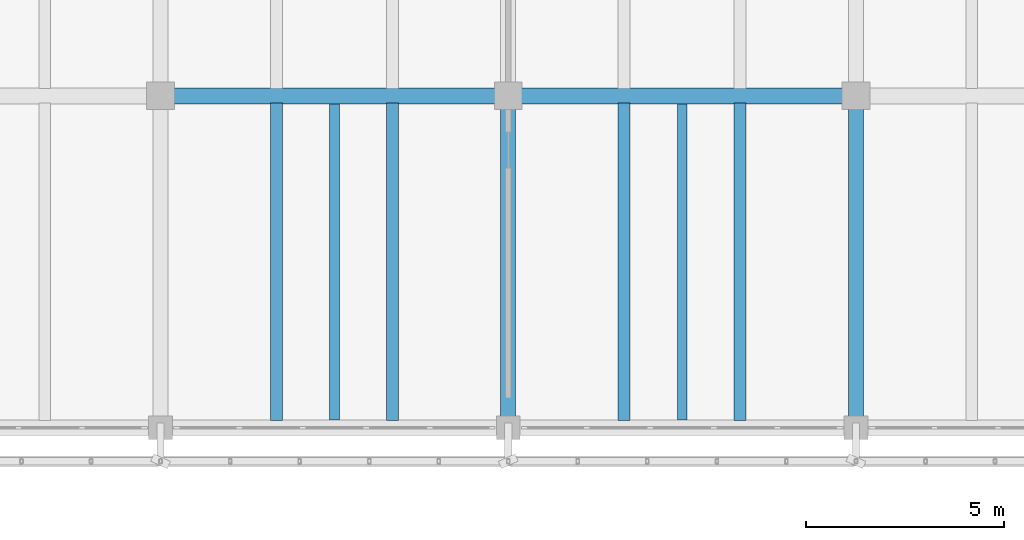
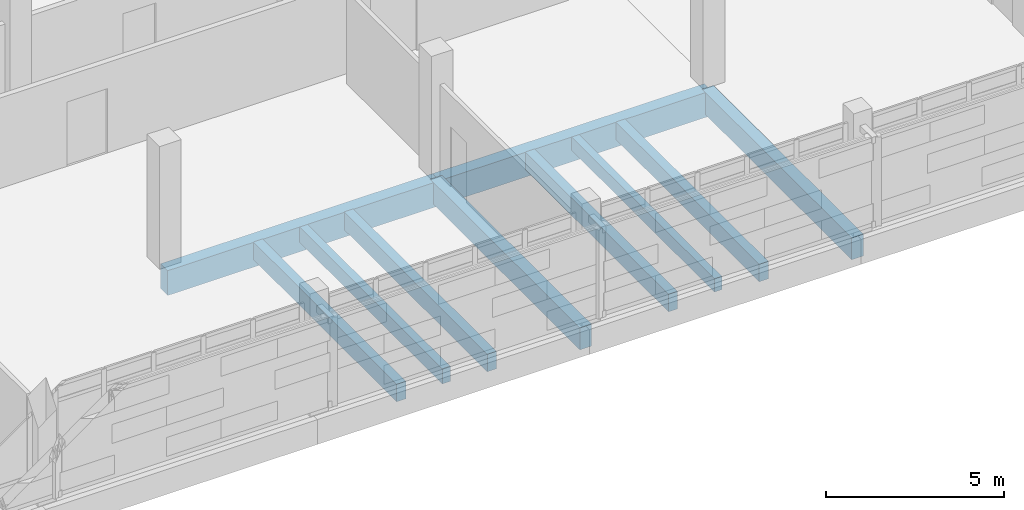
# One storey, part 63 of 137: 10 beams.
"""IFC4 building model written with IfcOpenShell, lengths in metres."""

from ifc_helpers import new_model, si_unit, direction, frame, origin, origin_2d, place, context, subcontext, project, spatial, rectangle, extrude, material, material_profile, profile_set, type_object, element, save


model = new_model("IFC4")

# Units and contexts
model_context = context("Model", 3, precision=1e-05, world=origin(), true_north=direction((0.0, 1.0)))
body_context = subcontext(model_context, "Body", "Model", "MODEL_VIEW")
ifc_project = project(units=[si_unit("LENGTHUNIT", "METRE"), si_unit("AREAUNIT", "SQUARE_METRE"), si_unit("VOLUMEUNIT", "CUBIC_METRE"), si_unit("PLANEANGLEUNIT", "RADIAN"), si_unit("MASSUNIT", "GRAM", prefix="KILO")], contexts=[model_context])

# Site, building, storey
site_placement = place(None, origin())
site = spatial("IfcSite", under=ifc_project, at=site_placement, CompositionType="ELEMENT")
building_placement = place(site_placement, origin())
building = spatial("IfcBuilding", under=site, at=building_placement, Name="Cinderway Yard Community Centre", CompositionType="ELEMENT")
storey_placement = place(building_placement, frame((0.0, 0.0, 4.800048828125)))
storey = spatial("IfcBuildingStorey", under=building, at=storey_placement, Name="L01", CompositionType="ELEMENT", Elevation=4.800048828125)

# Beams
ifc_material_1 = material(Name="Concrete C35/45", Category="concrete")
ifc_material_profile_1 = material_profile(ifc_material_1, rectangle(XDim=0.239990234375, YDim=0.4599609375, at=origin_2d()), Name="Concrete C35/45")
ifc_profile_set_1 = profile_set([ifc_material_profile_1], Name="Concrete C35/45")
beam_type_1 = type_object("IfcBeamType", Name="STR-BM-RC240X460", PredefinedType="SPANDREL", material=ifc_profile_set_1)
beam_1_placement = place(storey_placement, frame((114.800048828125, 90.199951171875, -0.489990234375), z_axis=(0.0, 1.0, 0.0), x_axis=(-1.0, 0.0, 0.0)))
element("IfcBeam", 1, at=beam_1_placement, inside=storey, type_object=beam_type_1, Name="Mid-bay secondary beam STR-BM-L01-SP04-1170", PredefinedType="SPANDREL", context=body_context, shape_type="SweptSolid", body=[
    extrude(rectangle(XDim=0.239990234375, YDim=0.4599609375, at=origin_2d()), origin(), (0.0, 0.0, 1.0), 8.0),
])
ifc_material_profile_2 = material_profile(ifc_material_1, rectangle(XDim=0.260009765625, YDim=0.52001953125, at=origin_2d()), Name="Concrete C35/45")
ifc_profile_set_2 = profile_set([ifc_material_profile_2], Name="Concrete C35/45")
beam_type_2 = type_object("IfcBeamType", Name="STR-BM-RC260X520", PredefinedType="JOIST", material=ifc_profile_set_2)
beam_2_placement = place(storey_placement, frame((106.0, 90.199951171875, -0.52001953125), z_axis=(0.0, 1.0, 0.0), x_axis=(-1.0, 0.0, 0.0)))
element("IfcBeam", 2, at=beam_2_placement, inside=storey, type_object=beam_type_2, Name="Mid-bay secondary beam STR-BM-L01-BJ06-1169", PredefinedType="JOIST", context=body_context, shape_type="SweptSolid", body=[
    extrude(rectangle(XDim=0.260009765625, YDim=0.52001953125, at=origin_2d()), origin(), (0.0, 0.0, 1.0), 8.0),
])
ifc_material_profile_3 = material_profile(ifc_material_1, rectangle(XDim=0.300048828125, YDim=0.60009765625, at=origin_2d()), Name="Concrete C35/45")
ifc_profile_set_3 = profile_set([ifc_material_profile_3], Name="Concrete C35/45")
beam_type_3 = type_object("IfcBeamType", Name="STR-BM-RC300X600", PredefinedType="JOIST", material=ifc_profile_set_3)
for number, where, z_axis, x_axis, name in (
    (3, (104.532958984375, 90.181884765625, -0.56005859375), (0.0, 1.0, 0.0), (-1.0, 0.0, 0.0), "Secondary joist STR-BM-L01-BJ02-0297"),
    (4, (107.467041015625, 90.181884765625, -0.56005859375), (0.0, 1.0, 0.0), (-1.0, 0.0, 0.0), "Secondary joist STR-BM-L01-BJ02-0298"),
    (5, (113.3330078125, 90.181884765625, -0.56005859375), (0.0, 1.0, 0.0), (-1.0, 0.0, 0.0), "Secondary joist STR-BM-L01-BJ02-0303"),
    (6, (116.26708984375, 90.181884765625, -0.56005859375), (0.0, 1.0, 0.0), (-1.0, 0.0, 0.0), "Secondary joist STR-BM-L01-BJ02-0304"),
):
    element("IfcBeam", number, at=place(storey_placement, frame(where, z_axis=z_axis, x_axis=x_axis)), inside=storey, type_object=beam_type_3, Name=name, PredefinedType="JOIST", context=body_context, shape_type="SweptSolid", body=[
        extrude(rectangle(XDim=0.300048828125, YDim=0.60009765625, at=origin_2d()), origin(), (0.0, 0.0, 1.0), 8.0361328125),
    ])
ifc_material_profile_4 = material_profile(ifc_material_1, rectangle(XDim=0.3798828125, YDim=0.75, at=origin_2d()), Name="Concrete C35/45")
ifc_profile_set_4 = profile_set([ifc_material_profile_4], Name="Concrete C35/45")
beam_type_4 = type_object("IfcBeamType", Name="STR-BM-RC380X750", PredefinedType="BEAM", material=ifc_profile_set_4)
for number, where, z_axis, x_axis, name in (
    (7, (110.39990234375, 90.0, -0.635009765625), (0.0, 1.0, 0.0), (-1.0, 0.0, 0.0), "Transverse girder STR-BM-L01-BG06-0244"),
    (8, (119.199951171875, 90.0, -0.635009765625), (0.0, 1.0, 0.0), (-1.0, 0.0, 0.0), "Transverse girder STR-BM-L01-BG06-0247"),
):
    element("IfcBeam", number, at=place(storey_placement, frame(where, z_axis=z_axis, x_axis=x_axis)), inside=storey, type_object=beam_type_4, Name=name, PredefinedType="BEAM", context=body_context, shape_type="SweptSolid", body=[
        extrude(rectangle(XDim=0.3798828125, YDim=0.75, at=origin_2d()), origin(), (0.0, 0.0, 1.0), 8.39990234375),
    ])
ifc_material_2 = material(Name="Concrete C40/50", Category="concrete")
ifc_material_profile_5 = material_profile(ifc_material_2, rectangle(XDim=0.39990234375, YDim=0.85009765625, at=origin_2d()), Name="Concrete C40/50")
ifc_profile_set_5 = profile_set([ifc_material_profile_5], Name="Concrete C40/50")
beam_type_5 = type_object("IfcBeamType", Name="STR-BM-RC400X850", PredefinedType="BEAM", material=ifc_profile_set_5)
beam_3_placement = place(storey_placement, frame((101.60009765625, 98.39990234375, -0.68505859375), z_axis=(1.0, 0.0, 0.0), x_axis=(0.0, 1.0, 0.0)))
element("IfcBeam", 9, at=beam_3_placement, inside=storey, type_object=beam_type_5, Name="Primary girder STR-BM-L01-BG04-0191", PredefinedType="BEAM", context=body_context, shape_type="SweptSolid", body=[
    extrude(rectangle(XDim=0.39990234375, YDim=0.85009765625, at=origin_2d()), origin(), (0.0, 0.0, 1.0), 8.7998046875),
])
beam_4_placement = place(storey_placement, frame((110.39990234375, 98.39990234375, -0.68505859375), z_axis=(1.0, 0.0, 0.0), x_axis=(0.0, 1.0, 0.0)))
element("IfcBeam", 10, at=beam_4_placement, inside=storey, type_object=beam_type_5, Name="Primary girder STR-BM-L01-BG04-0192", PredefinedType="BEAM", context=body_context, shape_type="SweptSolid", body=[
    extrude(rectangle(XDim=0.39990234375, YDim=0.85009765625, at=origin_2d()), origin(), (0.0, 0.0, 1.0), 8.800048828125),
])

save(model, "model.ifc")
